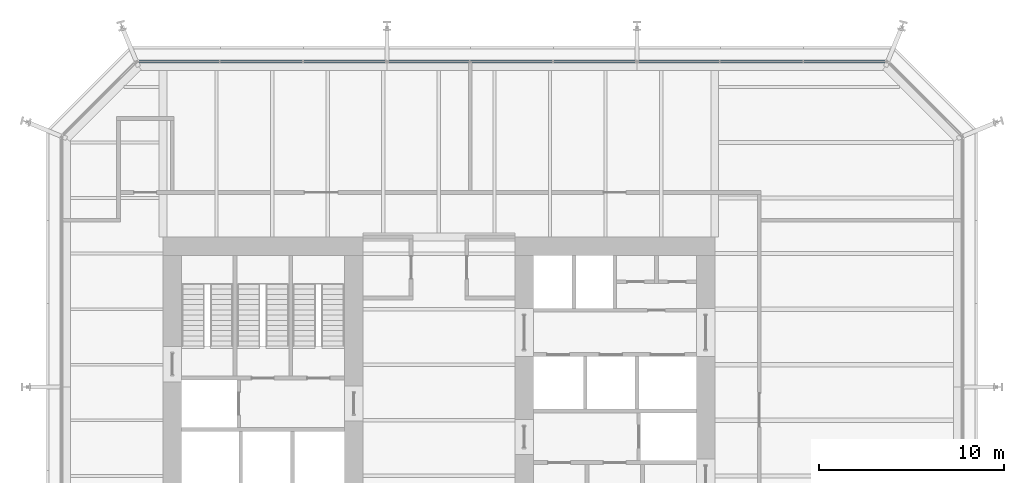
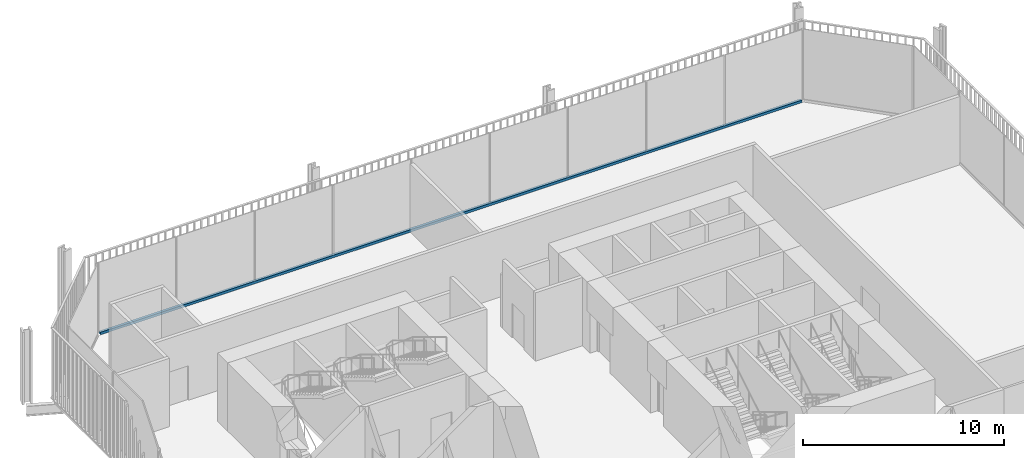
# One storey, part 13 of 20: 1 member, 1 element without a shape of its own.
"""IFC4 building model written with IfcOpenShell, lengths in metres."""

from ifc_helpers import new_model, si_unit, direction, frame, origin, origin_2d, place, context, subcontext, project, spatial, rectangle, extrude, material, layer, layer_set, material_profile, profile_set, type_object, element, aggregate, save


model = new_model("IFC4")

# Units and contexts
model_context = context("Model", 3, precision=1e-05, world=origin(), true_north=direction((0.0, 1.0)))
body_context = subcontext(model_context, "Body", "Model", "MODEL_VIEW")
ifc_project = project(units=[si_unit("LENGTHUNIT", "METRE"), si_unit("AREAUNIT", "SQUARE_METRE"), si_unit("VOLUMEUNIT", "CUBIC_METRE"), si_unit("PLANEANGLEUNIT", "RADIAN"), si_unit("MASSUNIT", "GRAM", prefix="KILO")], contexts=[model_context])

# Site, building, storey
site_placement = place(None, origin())
site = spatial("IfcSite", under=ifc_project, at=site_placement, CompositionType="ELEMENT")
building_placement = place(site_placement, origin())
building = spatial("IfcBuilding", under=site, at=building_placement, Name="Millrace Tower", CompositionType="ELEMENT")
storey_placement = place(building_placement, frame((0.0, 0.0, 108.39990234375)))
storey = spatial("IfcBuildingStorey", under=building, at=storey_placement, Name="L24", CompositionType="ELEMENT", Elevation=108.39990234375)

# Curtain wall, member
ifc_material_1 = material(Name="Aluminium and glass", Category="aluminium")
ifc_layer = layer(ifc_material_1, 0.14990234375)
ifc_layer_set = layer_set([ifc_layer], Name="Aluminium and glass")
curtain_wall_type = type_object("IfcCurtainWallType", Name="CW-3 telecom floor curtain wall", PredefinedType="NOTDEFINED", material=ifc_layer_set)
curtain_wall_placement = place(storey_placement, origin())
curtain_wall = element("IfcCurtainWall", 1, at=curtain_wall_placement, inside=storey, type_object=curtain_wall_type, Name="Curtain wall B-F06 L24", PredefinedType="NOTDEFINED")
ifc_material_2 = material(Name="Aluminium", Category="aluminium")
ifc_material_profile = material_profile(ifc_material_2, rectangle(XDim=0.14990234375, YDim=0.14990234375, at=origin_2d()))
ifc_profile_set = profile_set([ifc_material_profile], Name="Aluminium")
member_type = type_object("IfcMemberType", Name="CW-3 telecom floor curtain wall transom", PredefinedType="USERDEFINED", material=ifc_profile_set)
member_placement = place(storey_placement, frame((24.10009765625, 19.375, 0.0751953125), z_axis=(-1.0, 0.0, 0.0), x_axis=(0.0, -1.0, 0.0)))
member = element("IfcMember", 2, at=member_placement, type_object=member_type, Name="CW3 transom B-F06.1", ObjectType="TRANSOM", PredefinedType="USERDEFINED", context=body_context, shape_type="SweptSolid", body=[
    extrude(rectangle(XDim=0.14990234375, YDim=0.14990234375, at=origin_2d()), origin(), (0.0, 0.0, 1.0), 40.300048828125),
])
aggregate(curtain_wall, [member])

save(model, "model.ifc")
